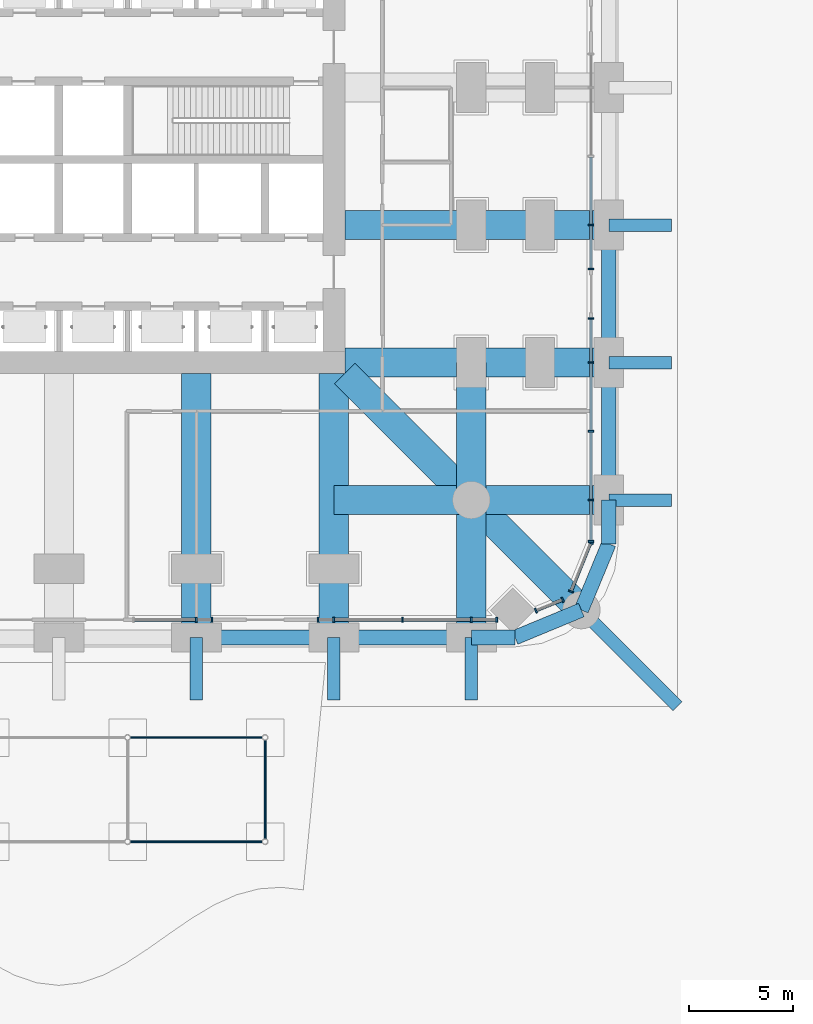
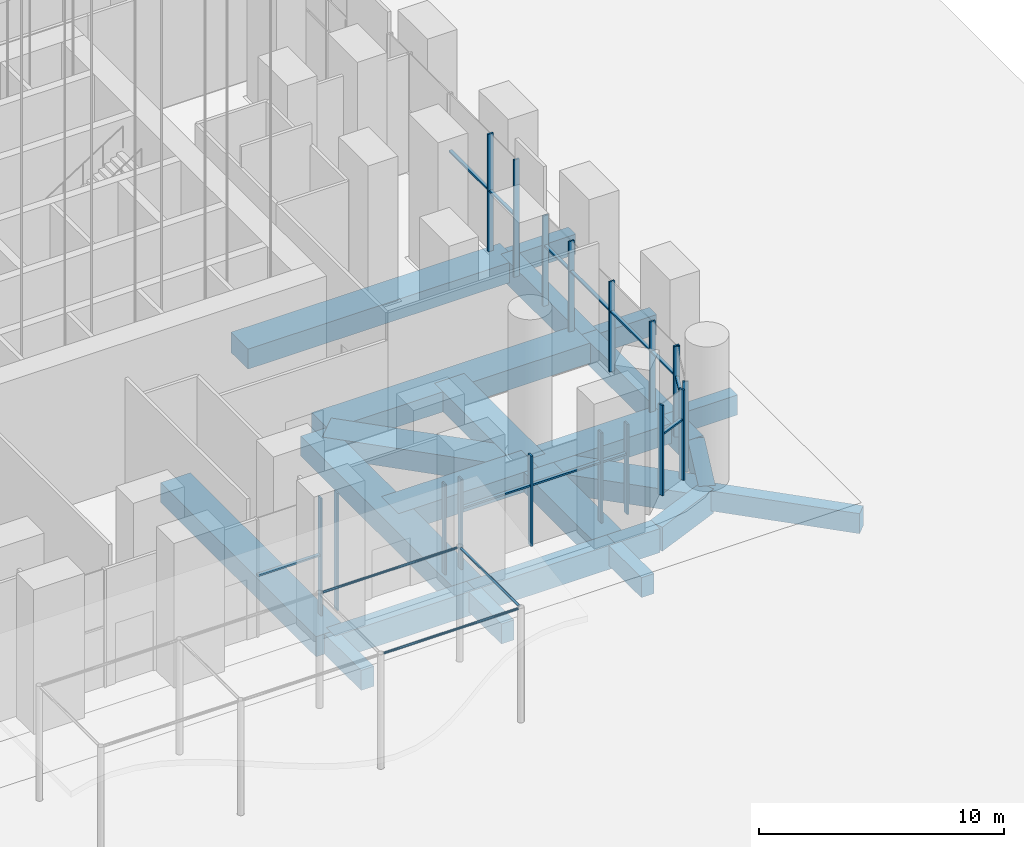
# One storey, part 9 of 32: 33 members, 25 beams, 6 elements without a shape of their own.
"""IFC4 building model written with IfcOpenShell, lengths in metres."""

from ifc_helpers import new_model, si_unit, direction, frame, origin, origin_2d, place, context, subcontext, project, spatial, rectangle, hollow_circle, extrude, material, material_profile, profile_set, type_object, element, aggregate, save


model = new_model("IFC4")

# Units and contexts
model_context = context("Model", 3, precision=1e-05, world=origin(), true_north=direction((0.0, 1.0)))
body_context = subcontext(model_context, "Body", "Model", "MODEL_VIEW")
ifc_project = project(units=[si_unit("LENGTHUNIT", "METRE"), si_unit("AREAUNIT", "SQUARE_METRE"), si_unit("VOLUMEUNIT", "CUBIC_METRE"), si_unit("PLANEANGLEUNIT", "RADIAN"), si_unit("MASSUNIT", "GRAM", prefix="KILO")], contexts=[model_context])

# Site, building, storey
site_placement = place(None, origin())
site = spatial("IfcSite", under=ifc_project, at=site_placement, CompositionType="ELEMENT")
building_placement = place(site_placement, origin())
building = spatial("IfcBuilding", under=site, at=building_placement, Name="Cobogo Forest Laboratory Tower", CompositionType="ELEMENT")
storey_placement = place(building_placement, origin())
storey = spatial("IfcBuildingStorey", under=building, at=storey_placement, Name="L00", CompositionType="ELEMENT", Elevation=0.0)

# Curtain wall, members
ifc_material_1 = material(Name="Aluminium curtain wall", Category="aluminium")
curtain_wall_type = type_object("IfcCurtainWallType", Name="CW-L structural glazing, entrance lobby", PredefinedType="USERDEFINED", material=ifc_material_1)
curtain_wall_1_placement = place(storey_placement, origin())
curtain_wall_1 = element("IfcCurtainWall", 1, at=curtain_wall_1_placement, inside=storey, type_object=curtain_wall_type, Name="Curtain wall 11 L00", ObjectType="STRUCTURAL GLAZING", PredefinedType="USERDEFINED")
ifc_material_2 = material(Name="Aluminium mullion", Category="aluminium")
ifc_material_profile_1 = material_profile(ifc_material_2, rectangle(XDim=0.080078125, YDim=0.25, at=origin_2d()), Name="AL 80x250")
ifc_profile_set_1 = profile_set([ifc_material_profile_1], Name="Aluminium mullion")
member_type_1 = type_object("IfcMemberType", Name="MU-4 aluminium lobby mullion 80x250", PredefinedType="MULLION", material=ifc_profile_set_1)
member_1_placement = place(storey_placement, frame((51.949951171875, 19.800048828125, 0.0), z_axis=(0.0, 0.0, 1.0), x_axis=(0.0, -1.0, 0.0)))
member_1 = element("IfcMember", 2, at=member_1_placement, type_object=member_type_1, Name="CW-L mullion 4", PredefinedType="MULLION", context=body_context, shape_type="SweptSolid", body=[
    extrude(rectangle(XDim=0.080078125, YDim=0.25, at=origin_2d()), origin(), (0.0, 0.0, 1.0), 5.85009765625),
])
member_2_placement = place(storey_placement, frame((51.949951171875, 17.68994140625, 0.0), z_axis=(0.0, 0.0, 1.0), x_axis=(0.0, -1.0, 0.0)))
member_2 = element("IfcMember", 3, at=member_2_placement, type_object=member_type_1, Name="CW-L mullion 5", PredefinedType="MULLION", context=body_context, shape_type="SweptSolid", body=[
    extrude(rectangle(XDim=0.080078125, YDim=0.25, at=origin_2d()), origin(), (0.0, 0.0, 1.0), 5.85009765625),
])

curtain_wall_2_placement = place(storey_placement, origin())
curtain_wall_2 = element("IfcCurtainWall", 4, at=curtain_wall_2_placement, inside=storey, type_object=curtain_wall_type, Name="Curtain wall 12 L00", ObjectType="STRUCTURAL GLAZING", PredefinedType="USERDEFINED")
member_3_placement = place(storey_placement, frame((51.949951171875, 15.31005859375, 0.0), z_axis=(0.0, 0.0, 1.0), x_axis=(0.0, -1.0, 0.0)))
member_3 = element("IfcMember", 5, at=member_3_placement, type_object=member_type_1, Name="CW-L mullion 1", PredefinedType="MULLION", context=body_context, shape_type="SweptSolid", body=[
    extrude(rectangle(XDim=0.080078125, YDim=0.25, at=origin_2d()), origin(), (0.0, 0.0, 1.0), 4.5),
])
member_4_placement = place(storey_placement, frame((51.949951171875, 13.199951171875, 0.0), z_axis=(0.0, 0.0, 1.0), x_axis=(0.0, -1.0, 0.0)))
member_4 = element("IfcMember", 6, at=member_4_placement, type_object=member_type_1, Name="CW-L mullion 2", PredefinedType="MULLION", context=body_context, shape_type="SweptSolid", body=[
    extrude(rectangle(XDim=0.080078125, YDim=0.25, at=origin_2d()), origin(), (0.0, 0.0, 1.0), 4.5),
])
member_5_placement = place(storey_placement, frame((51.949951171875, 9.89990234375, 0.0), z_axis=(0.0, 0.0, 1.0), x_axis=(0.0, -1.0, 0.0)))
member_5 = element("IfcMember", 7, at=member_5_placement, type_object=member_type_1, Name="CW-L mullion 3", PredefinedType="MULLION", context=body_context, shape_type="SweptSolid", body=[
    extrude(rectangle(XDim=0.080078125, YDim=0.25, at=origin_2d()), origin(), (0.0, 0.0, 1.0), 4.5),
])
member_6_placement = place(storey_placement, frame((51.949951171875, 6.60009765625, 0.0), z_axis=(0.0, 0.0, 1.0), x_axis=(0.0, -1.0, 0.0)))
member_6 = element("IfcMember", 8, at=member_6_placement, type_object=member_type_1, Name="CW-L mullion 4", PredefinedType="MULLION", context=body_context, shape_type="SweptSolid", body=[
    extrude(rectangle(XDim=0.080078125, YDim=0.25, at=origin_2d()), origin(), (0.0, 0.0, 1.0), 4.5),
])
member_7_placement = place(storey_placement, frame((51.949951171875, 4.625244140625, 0.0), z_axis=(0.0, 0.0, 1.0), x_axis=(0.0, -1.0, 0.0)))
member_7 = element("IfcMember", 9, at=member_7_placement, type_object=member_type_1, Name="CW-L mullion 5", PredefinedType="MULLION", context=body_context, shape_type="SweptSolid", body=[
    extrude(rectangle(XDim=0.080078125, YDim=0.25, at=origin_2d()), origin(), (0.0, 0.0, 1.0), 4.5),
])

curtain_wall_3_placement = place(storey_placement, origin())
curtain_wall_3 = element("IfcCurtainWall", 10, at=curtain_wall_3_placement, inside=storey, type_object=curtain_wall_type, Name="Curtain wall 13 L00", ObjectType="STRUCTURAL GLAZING", PredefinedType="USERDEFINED")
member_8_placement = place(storey_placement, frame((51.93505859375, 4.548095703125, 0.0), z_axis=(0.0, 0.0, 1.0), x_axis=(-0.375506890138, -0.926819602436, 0.0)))
member_8 = element("IfcMember", 11, at=member_8_placement, type_object=member_type_1, Name="CW-L mullion 1", PredefinedType="MULLION", context=body_context, shape_type="SweptSolid", body=[
    extrude(rectangle(XDim=0.080078125, YDim=0.25, at=origin_2d()), origin(), (0.0, 0.0, 1.0), 4.5),
])
member_9_placement = place(storey_placement, frame((50.9892578125, 2.2138671875, 0.0), z_axis=(0.0, 0.0, 1.0), x_axis=(-0.375506890138, -0.926819602436, 0.0)))
member_9 = element("IfcMember", 12, at=member_9_placement, type_object=member_type_1, Name="CW-L mullion 2", PredefinedType="MULLION", context=body_context, shape_type="SweptSolid", body=[
    extrude(rectangle(XDim=0.080078125, YDim=0.25, at=origin_2d()), origin(), (0.0, 0.0, 1.0), 4.5),
])

curtain_wall_4_placement = place(storey_placement, origin())
curtain_wall_4 = element("IfcCurtainWall", 13, at=curtain_wall_4_placement, inside=storey, type_object=curtain_wall_type, Name="Curtain wall 14 L00", ObjectType="STRUCTURAL GLAZING", PredefinedType="USERDEFINED")
member_10_placement = place(storey_placement, frame((50.586181640625, 1.810791015625, 0.0), z_axis=(0.0, 0.0, 1.0), x_axis=(-0.926819589551, -0.37550692194, 0.0)))
member_10 = element("IfcMember", 14, at=member_10_placement, type_object=member_type_1, Name="CW-L mullion 1", PredefinedType="MULLION", context=body_context, shape_type="SweptSolid", body=[
    extrude(rectangle(XDim=0.080078125, YDim=0.25, at=origin_2d()), origin(), (0.0, 0.0, 1.0), 4.5),
])
member_11_placement = place(storey_placement, frame((49.299560546875, 1.28955078125, 0.0), z_axis=(0.0, 0.0, 1.0), x_axis=(-0.926819589551, -0.37550692194, 0.0)))
member_11 = element("IfcMember", 15, at=member_11_placement, type_object=member_type_1, Name="CW-L mullion 2", PredefinedType="MULLION", context=body_context, shape_type="SweptSolid", body=[
    extrude(rectangle(XDim=0.080078125, YDim=0.25, at=origin_2d()), origin(), (0.0, 0.0, 1.0), 4.5),
])

curtain_wall_5_placement = place(storey_placement, origin())
curtain_wall_5 = element("IfcCurtainWall", 16, at=curtain_wall_5_placement, inside=storey, type_object=curtain_wall_type, Name="Curtain wall 15 L00", ObjectType="STRUCTURAL GLAZING", PredefinedType="USERDEFINED")
member_12_placement = place(storey_placement, frame((47.42431640625, 0.85009765625, 0.0), z_axis=(0.0, 0.0, 1.0), x_axis=(-1.0, 0.0, 0.0)))
member_12 = element("IfcMember", 17, at=member_12_placement, type_object=member_type_1, Name="CW-L mullion 1", PredefinedType="MULLION", context=body_context, shape_type="SweptSolid", body=[
    extrude(rectangle(XDim=0.080078125, YDim=0.25, at=origin_2d()), origin(), (0.0, 0.0, 1.0), 4.5),
])
member_13_placement = place(storey_placement, frame((46.199951171875, 0.85009765625, 0.0), z_axis=(0.0, 0.0, 1.0), x_axis=(-1.0, 0.0, 0.0)))
member_13 = element("IfcMember", 18, at=member_13_placement, type_object=member_type_1, Name="CW-L mullion 2", PredefinedType="MULLION", context=body_context, shape_type="SweptSolid", body=[
    extrude(rectangle(XDim=0.080078125, YDim=0.25, at=origin_2d()), origin(), (0.0, 0.0, 1.0), 4.5),
])
member_14_placement = place(storey_placement, frame((42.89990234375, 0.85009765625, 0.0), z_axis=(0.0, 0.0, 1.0), x_axis=(-1.0, 0.0, 0.0)))
member_14 = element("IfcMember", 19, at=member_14_placement, type_object=member_type_1, Name="CW-L mullion 3", PredefinedType="MULLION", context=body_context, shape_type="SweptSolid", body=[
    extrude(rectangle(XDim=0.080078125, YDim=0.25, at=origin_2d()), origin(), (0.0, 0.0, 1.0), 4.5),
])
member_15_placement = place(storey_placement, frame((39.60009765625, 0.85009765625, 0.0), z_axis=(0.0, 0.0, 1.0), x_axis=(-1.0, 0.0, 0.0)))
member_15 = element("IfcMember", 20, at=member_15_placement, type_object=member_type_1, Name="CW-L mullion 4", PredefinedType="MULLION", context=body_context, shape_type="SweptSolid", body=[
    extrude(rectangle(XDim=0.080078125, YDim=0.25, at=origin_2d()), origin(), (0.0, 0.0, 1.0), 4.5),
])
member_16_placement = place(storey_placement, frame((38.840087890625, 0.85009765625, 0.0), z_axis=(0.0, 0.0, 1.0), x_axis=(-1.0, 0.0, 0.0)))
member_16 = element("IfcMember", 21, at=member_16_placement, type_object=member_type_1, Name="CW-L mullion 5", PredefinedType="MULLION", context=body_context, shape_type="SweptSolid", body=[
    extrude(rectangle(XDim=0.080078125, YDim=0.25, at=origin_2d()), origin(), (0.0, 0.0, 1.0), 4.5),
])

curtain_wall_6_placement = place(storey_placement, origin())
curtain_wall_6 = element("IfcCurtainWall", 22, at=curtain_wall_6_placement, inside=storey, type_object=curtain_wall_type, Name="Curtain wall 16 L00", ObjectType="STRUCTURAL GLAZING", PredefinedType="USERDEFINED")
member_17_placement = place(storey_placement, frame((33.760009765625, 0.85009765625, 0.0), z_axis=(0.0, 0.0, 1.0), x_axis=(-1.0, 0.0, 0.0)))
member_17 = element("IfcMember", 23, at=member_17_placement, type_object=member_type_1, Name="CW-L mullion 1", PredefinedType="MULLION", context=body_context, shape_type="SweptSolid", body=[
    extrude(rectangle(XDim=0.080078125, YDim=0.25, at=origin_2d()), origin(), (0.0, 0.0, 1.0), 5.85009765625),
])
member_18_placement = place(storey_placement, frame((33.0, 0.85009765625, 0.0), z_axis=(0.0, 0.0, 1.0), x_axis=(-1.0, 0.0, 0.0)))
member_18 = element("IfcMember", 24, at=member_18_placement, type_object=member_type_1, Name="CW-L mullion 2", PredefinedType="MULLION", context=body_context, shape_type="SweptSolid", body=[
    extrude(rectangle(XDim=0.080078125, YDim=0.25, at=origin_2d()), origin(), (0.0, 0.0, 1.0), 5.85009765625),
])

# Members
ifc_material_3 = material(Name="Steel S355", Category="steel")
ifc_material_profile_2 = material_profile(ifc_material_3, hollow_circle(Radius=0.05712890625, WallThickness=0.00634765625, at=origin_2d()), Name="CHS 114.3x6.3")
ifc_profile_set_2 = profile_set([ifc_material_profile_2], Name="Steel S355")
member_type_2 = type_object("IfcMemberType", Name="Marquise head strut CHS 114.3x6.3", PredefinedType="STRUT", material=ifc_profile_set_2)
for number, where, z_axis, x_axis, name in (
    (25, (29.83154296875, -9.800048828125, 5.642822265625), (1.0, 0.0, 0.0), (0.0, 1.0, 0.0), "MT1 marquise strut 3"),
    (26, (29.83154296875, -4.800048828125, 5.642822265625), (1.0, 0.0, 0.0), (0.0, 1.0, 0.0), "MT1 marquise strut 6"),
):
    element("IfcMember", number, at=place(storey_placement, frame(where, z_axis=z_axis, x_axis=x_axis)), inside=storey, type_object=member_type_2, Name=name, PredefinedType="STRUT", context=body_context, shape_type="SweptSolid", body=[
        extrude(hollow_circle(Radius=0.05712890625, WallThickness=0.00634765625, at=origin_2d()), origin(), (0.0, 0.0, 1.0), 6.3369140625),
    ])
member_19_placement = place(storey_placement, frame((36.300048828125, -9.66845703125, 5.642822265625), z_axis=(0.0, 1.0, 0.0), x_axis=(-1.0, 0.0, 0.0)))
element("IfcMember", 27, at=member_19_placement, inside=storey, type_object=member_type_2, Name="MT1 marquise strut 10", PredefinedType="STRUT", context=body_context, shape_type="SweptSolid", body=[
    extrude(hollow_circle(Radius=0.05712890625, WallThickness=0.00634765625, at=origin_2d()), origin(), (0.0, 0.0, 1.0), 4.737060546875),
])

# Beams
ifc_material_4 = material(Name="Concrete HA-40 (C40/50)", Category="concrete")
ifc_material_profile_3 = material_profile(ifc_material_4, rectangle(XDim=0.699951171875, YDim=1.199951171875, at=origin_2d()), Name="RC 700x1200")
ifc_profile_set_3 = profile_set([ifc_material_profile_3], Name="Concrete HA-40 (C40/50)")
beam_type_1 = type_object("IfcBeamType", Name="Perimeter edge beam 700x1200", PredefinedType="BEAM", material=ifc_profile_set_3)
beam_1_placement = place(storey_placement, frame((33.0, 0.0, -0.949951171875), z_axis=(1.0, 0.0, 0.0), x_axis=(0.0, 1.0, 0.0)))
element("IfcBeam", 28, at=beam_1_placement, inside=storey, type_object=beam_type_1, Name="EB1 E-S5 L00", PredefinedType="BEAM", context=body_context, shape_type="SweptSolid", body=[
    extrude(rectangle(XDim=0.699951171875, YDim=1.199951171875, at=origin_2d()), origin(), (0.0, 0.0, 1.0), 6.60009765625),
])
for number, where, z_axis, x_axis, name in (
    (29, (39.60009765625, 0.0, -0.949951171875), (1.0, 0.0, 0.0), (0.0, 1.0, 0.0), "EB1 E-S6 L00"),
    (30, (52.800048828125, 6.60009765625, -0.949951171875), (0.0, 1.0, 0.0), (-1.0, 0.0, 0.0), "EB1 E-E1 L00"),
):
    element("IfcBeam", number, at=place(storey_placement, frame(where, z_axis=z_axis, x_axis=x_axis)), inside=storey, type_object=beam_type_1, Name=name, PredefinedType="BEAM", context=body_context, shape_type="SweptSolid", body=[
        extrude(rectangle(XDim=0.699951171875, YDim=1.199951171875, at=origin_2d()), origin(), (0.0, 0.0, 1.0), 6.599853515625),
    ])
beam_2_placement = place(storey_placement, frame((52.800048828125, 13.199951171875, -0.949951171875), z_axis=(0.0, 1.0, 0.0), x_axis=(-1.0, 0.0, 0.0)))
element("IfcBeam", 31, at=beam_2_placement, inside=storey, type_object=beam_type_1, Name="EB1 E-E2 L00", PredefinedType="BEAM", context=body_context, shape_type="SweptSolid", body=[
    extrude(rectangle(XDim=0.699951171875, YDim=1.199951171875, at=origin_2d()), origin(), (0.0, 0.0, 1.0), 6.60009765625),
])
beam_3_placement = place(storey_placement, frame((46.199951171875, 0.0, -0.949951171875), z_axis=(1.0, 0.0, 0.0), x_axis=(0.0, 1.0, 0.0)))
element("IfcBeam", 32, at=beam_3_placement, inside=storey, type_object=beam_type_1, Name="EB1 E-SES1 L00", PredefinedType="BEAM", context=body_context, shape_type="SweptSolid", body=[
    extrude(rectangle(XDim=0.699951171875, YDim=1.199951171875, at=origin_2d()), origin(), (0.0, 0.0, 1.0), 2.10009765625),
])
beam_4_placement = place(storey_placement, frame((48.300048828125, 0.0, -0.949951171875), z_axis=(0.923865631356, 0.382716990999, 0.0), x_axis=(-0.382716990999, 0.923865631356, 0.0)))
element("IfcBeam", 33, at=beam_4_placement, inside=storey, type_object=beam_type_1, Name="EB1 E-SES2 L00", PredefinedType="BEAM", context=body_context, shape_type="SweptSolid", body=[
    extrude(rectangle(XDim=0.699951171875, YDim=1.199951171875, at=origin_2d()), origin(), (0.0, 0.0, 1.0), 3.444091796875),
])
beam_5_placement = place(storey_placement, frame((52.800048828125, 6.60009765625, -0.949951171875), z_axis=(0.0, -1.0, 0.0), x_axis=(1.0, 0.0, 0.0)))
element("IfcBeam", 34, at=beam_5_placement, inside=storey, type_object=beam_type_1, Name="EB1 E-SEE1 L00", PredefinedType="BEAM", context=body_context, shape_type="SweptSolid", body=[
    extrude(rectangle(XDim=0.699951171875, YDim=1.199951171875, at=origin_2d()), origin(), (0.0, 0.0, 1.0), 2.10009765625),
])
beam_6_placement = place(storey_placement, frame((52.800048828125, 4.5, -0.949951171875), z_axis=(-0.382716990999, -0.923865631356, 0.0), x_axis=(0.923865631356, -0.382716990999, 0.0)))
element("IfcBeam", 35, at=beam_6_placement, inside=storey, type_object=beam_type_1, Name="EB1 E-SEE2 L00", PredefinedType="BEAM", context=body_context, shape_type="SweptSolid", body=[
    extrude(rectangle(XDim=0.699951171875, YDim=1.199951171875, at=origin_2d()), origin(), (0.0, 0.0, 1.0), 3.444091796875),
])
ifc_material_profile_4 = material_profile(ifc_material_4, rectangle(XDim=0.60009765625, YDim=1.0, at=origin_2d()), Name="RC 600x1000")
ifc_profile_set_4 = profile_set([ifc_material_profile_4], Name="Concrete HA-40 (C40/50)")
beam_type_2 = type_object("IfcBeamType", Name="Plaza deck beam 600x1000", PredefinedType="BEAM", material=ifc_profile_set_4)
beam_7_placement = place(storey_placement, frame((51.48193359375, 1.318115234375, -0.85009765625), z_axis=(0.707106781187, -0.707106781187, 0.0), x_axis=(0.707106781187, 0.707106781187, 0.0)))
element("IfcBeam", 36, at=beam_7_placement, inside=storey, type_object=beam_type_2, Name="RB3 P-CNR-SE L00", PredefinedType="BEAM", context=body_context, shape_type="SweptSolid", body=[
    extrude(rectangle(XDim=0.60009765625, YDim=1.0, at=origin_2d()), origin(), (0.0, 0.0, 1.0), 6.531005859375),
])
for number, where, z_axis, x_axis, name in (
    (37, (33.0, 0.0, -0.85009765625), (0.0, -1.0, 0.0), (1.0, 0.0, 0.0), "RB3 P-6-A L00"),
    (38, (39.60009765625, 0.0, -0.85009765625), (0.0, -1.0, 0.0), (1.0, 0.0, 0.0), "RB3 P-7-A L00"),
    (39, (46.199951171875, 0.0, -0.85009765625), (0.0, -1.0, 0.0), (1.0, 0.0, 0.0), "RB3 P-8-A L00"),
    (40, (52.800048828125, 6.60009765625, -0.85009765625), (1.0, 0.0, 0.0), (0.0, 1.0, 0.0), "RB3 P-9-B L00"),
    (41, (52.800048828125, 13.199951171875, -0.85009765625), (1.0, 0.0, 0.0), (0.0, 1.0, 0.0), "RB3 P-9-C L00"),
    (42, (52.800048828125, 19.800048828125, -0.85009765625), (1.0, 0.0, 0.0), (0.0, 1.0, 0.0), "RB3 P-9-D L00"),
):
    element("IfcBeam", number, at=place(storey_placement, frame(where, z_axis=z_axis, x_axis=x_axis)), inside=storey, type_object=beam_type_2, Name=name, PredefinedType="BEAM", context=body_context, shape_type="SweptSolid", body=[
        extrude(rectangle(XDim=0.60009765625, YDim=1.0, at=origin_2d()), origin(), (0.0, 0.0, 1.0), 3.0),
    ])
ifc_material_profile_5 = material_profile(ifc_material_4, rectangle(XDim=1.39990234375, YDim=1.0, at=origin_2d()), Name="RC 1400x1000")
ifc_profile_set_5 = profile_set([ifc_material_profile_5], Name="Concrete HA-40 (C40/50)")
beam_type_3 = type_object("IfcBeamType", Name="Podium deck wide beam 1400x1000", PredefinedType="BEAM", material=ifc_profile_set_5)
for number, where, z_axis, x_axis, name in (
    (43, (33.0, 12.675048828125, -0.85009765625), (0.0, -1.0, 0.0), (1.0, 0.0, 0.0), "RB5 R-6-S L00"),
    (44, (39.60009765625, 12.675048828125, -0.85009765625), (0.0, -1.0, 0.0), (1.0, 0.0, 0.0), "RB5 R-7-S L00"),
    (45, (40.125, 13.199951171875, -0.85009765625), (1.0, 0.0, 0.0), (0.0, 1.0, 0.0), "RB5 R-C-E L00"),
    (46, (40.125, 19.800048828125, -0.85009765625), (1.0, 0.0, 0.0), (0.0, 1.0, 0.0), "RB5 R-D-E L00"),
):
    element("IfcBeam", number, at=place(storey_placement, frame(where, z_axis=z_axis, x_axis=x_axis)), inside=storey, type_object=beam_type_3, Name=name, PredefinedType="BEAM", context=body_context, shape_type="SweptSolid", body=[
        extrude(rectangle(XDim=1.39990234375, YDim=1.0, at=origin_2d()), origin(), (0.0, 0.0, 1.0), 12.675048828125),
    ])
beam_8_placement = place(storey_placement, frame((46.199951171875, 0.0, -0.85009765625), z_axis=(0.0, 1.0, 0.0), x_axis=(-1.0, 0.0, 0.0)))
element("IfcBeam", 47, at=beam_8_placement, inside=storey, type_object=beam_type_3, Name="RB5 G-SE-XF L00", PredefinedType="BEAM", context=body_context, shape_type="SweptSolid", body=[
    extrude(rectangle(XDim=1.39990234375, YDim=1.0, at=origin_2d()), origin(), (0.0, 0.0, 1.0), 6.60009765625),
])
beam_9_placement = place(storey_placement, frame((46.199951171875, 6.60009765625, -0.85009765625), z_axis=(0.0, 1.0, 0.0), x_axis=(-1.0, 0.0, 0.0)))
element("IfcBeam", 48, at=beam_9_placement, inside=storey, type_object=beam_type_3, Name="RB5 G-SE-XC L00", PredefinedType="BEAM", context=body_context, shape_type="SweptSolid", body=[
    extrude(rectangle(XDim=1.39990234375, YDim=1.0, at=origin_2d()), origin(), (0.0, 0.0, 1.0), 6.599853515625),
])
beam_10_placement = place(storey_placement, frame((52.800048828125, 6.60009765625, -0.85009765625), z_axis=(-1.0, 0.0, 0.0), x_axis=(0.0, -1.0, 0.0)))
element("IfcBeam", 49, at=beam_10_placement, inside=storey, type_object=beam_type_3, Name="RB5 G-SE-YF L00", PredefinedType="BEAM", context=body_context, shape_type="SweptSolid", body=[
    extrude(rectangle(XDim=1.39990234375, YDim=1.0, at=origin_2d()), origin(), (0.0, 0.0, 1.0), 6.60009765625),
])
beam_11_placement = place(storey_placement, frame((46.199951171875, 6.60009765625, -0.85009765625), z_axis=(-1.0, 0.0, 0.0), x_axis=(0.0, -1.0, 0.0)))
element("IfcBeam", 50, at=beam_11_placement, inside=storey, type_object=beam_type_3, Name="RB5 G-SE-YC L00", PredefinedType="BEAM", context=body_context, shape_type="SweptSolid", body=[
    extrude(rectangle(XDim=1.39990234375, YDim=1.0, at=origin_2d()), origin(), (0.0, 0.0, 1.0), 6.599853515625),
])
beam_12_placement = place(storey_placement, frame((51.48193359375, 1.318115234375, -0.85009765625), z_axis=(-0.707106781187, 0.707106781187, 0.0), x_axis=(-0.707106781187, -0.707106781187, 0.0)))
element("IfcBeam", 51, at=beam_12_placement, inside=storey, type_object=beam_type_3, Name="RB5 G-SE-D1 L00", PredefinedType="BEAM", context=body_context, shape_type="SweptSolid", body=[
    extrude(rectangle(XDim=1.39990234375, YDim=1.0, at=origin_2d()), origin(), (0.0, 0.0, 1.0), 7.469970703125),
])
beam_13_placement = place(storey_placement, frame((46.199951171875, 6.60009765625, -0.85009765625), z_axis=(-0.707106781187, 0.707106781187, 0.0), x_axis=(-0.707106781187, -0.707106781187, 0.0)))
element("IfcBeam", 52, at=beam_13_placement, inside=storey, type_object=beam_type_3, Name="RB5 G-SE-D2 L00", PredefinedType="BEAM", context=body_context, shape_type="SweptSolid", body=[
    extrude(rectangle(XDim=1.39990234375, YDim=1.0, at=origin_2d()), origin(), (0.0, 0.0, 1.0), 8.59130859375),
])

# Member
ifc_material_5 = material(Name="Aluminium transom", Category="aluminium")
ifc_material_profile_6 = material_profile(ifc_material_5, rectangle(XDim=0.14990234375, YDim=0.080078125, at=origin_2d()), Name="AL 80x150")
ifc_profile_set_6 = profile_set([ifc_material_profile_6], Name="Aluminium transom")
member_type_3 = type_object("IfcMemberType", Name="TR-3 aluminium lobby transom 80x150", PredefinedType="USERDEFINED", material=ifc_profile_set_6)
member_20_placement = place(storey_placement, frame((51.949951171875, 23.06005859375, 3.0), z_axis=(0.0, -1.0, 0.0), x_axis=(1.0, 0.0, 0.0)))
member_20 = element("IfcMember", 53, at=member_20_placement, type_object=member_type_3, Name="CW-L transom 3.1", ObjectType="TRANSOM", PredefinedType="USERDEFINED", context=body_context, shape_type="SweptSolid", body=[
    extrude(rectangle(XDim=0.14990234375, YDim=0.080078125, at=origin_2d()), origin(), (0.0, 0.0, 1.0), 3.219970703125),
])

member_21_placement = place(storey_placement, frame((51.949951171875, 19.760009765625, 3.0), z_axis=(0.0, -1.0, 0.0), x_axis=(1.0, 0.0, 0.0)))
member_21 = element("IfcMember", 54, at=member_21_placement, type_object=member_type_3, Name="CW-L transom 4.1", ObjectType="TRANSOM", PredefinedType="USERDEFINED", context=body_context, shape_type="SweptSolid", body=[
    extrude(rectangle(XDim=0.14990234375, YDim=0.080078125, at=origin_2d()), origin(), (0.0, 0.0, 1.0), 2.030029296875),
])

aggregate(curtain_wall_1, [member_1, member_2, member_20, member_21])

member_22_placement = place(storey_placement, frame((51.949951171875, 15.27001953125, 3.0), z_axis=(0.0, -1.0, 0.0), x_axis=(1.0, 0.0, 0.0)))
member_22 = element("IfcMember", 55, at=member_22_placement, type_object=member_type_3, Name="CW-L transom 1.1", ObjectType="TRANSOM", PredefinedType="USERDEFINED", context=body_context, shape_type="SweptSolid", body=[
    extrude(rectangle(XDim=0.14990234375, YDim=0.080078125, at=origin_2d()), origin(), (0.0, 0.0, 1.0), 2.030029296875),
])

member_23_placement = place(storey_placement, frame((51.949951171875, 13.159912109375, 3.0), z_axis=(0.0, -1.0, 0.0), x_axis=(1.0, 0.0, 0.0)))
member_23 = element("IfcMember", 56, at=member_23_placement, type_object=member_type_3, Name="CW-L transom 2.1", ObjectType="TRANSOM", PredefinedType="USERDEFINED", context=body_context, shape_type="SweptSolid", body=[
    extrude(rectangle(XDim=0.14990234375, YDim=0.080078125, at=origin_2d()), origin(), (0.0, 0.0, 1.0), 3.219970703125),
])

member_24_placement = place(storey_placement, frame((51.949951171875, 9.860107421875, 3.0), z_axis=(0.0, -1.0, 0.0), x_axis=(1.0, 0.0, 0.0)))
member_24 = element("IfcMember", 57, at=member_24_placement, type_object=member_type_3, Name="CW-L transom 3.1", ObjectType="TRANSOM", PredefinedType="USERDEFINED", context=body_context, shape_type="SweptSolid", body=[
    extrude(rectangle(XDim=0.14990234375, YDim=0.080078125, at=origin_2d()), origin(), (0.0, 0.0, 1.0), 3.22021484375),
])

member_25_placement = place(storey_placement, frame((51.949951171875, 6.56005859375, 3.0), z_axis=(0.0, -1.0, 0.0), x_axis=(1.0, 0.0, 0.0)))
member_25 = element("IfcMember", 58, at=member_25_placement, type_object=member_type_3, Name="CW-L transom 4.1", ObjectType="TRANSOM", PredefinedType="USERDEFINED", context=body_context, shape_type="SweptSolid", body=[
    extrude(rectangle(XDim=0.14990234375, YDim=0.080078125, at=origin_2d()), origin(), (0.0, 0.0, 1.0), 1.894775390625),
])

aggregate(curtain_wall_2, [member_3, member_4, member_5, member_6, member_7, member_22, member_23, member_24, member_25])

member_26_placement = place(storey_placement, frame((51.919921875, 4.510986328125, 3.0), z_axis=(-0.375547073241, -0.92680332098, 0.0), x_axis=(0.92680332098, -0.375547073241, 0.0)))
member_26 = element("IfcMember", 59, at=member_26_placement, type_object=member_type_3, Name="CW-L transom 1.1", ObjectType="TRANSOM", PredefinedType="USERDEFINED", context=body_context, shape_type="SweptSolid", body=[
    extrude(rectangle(XDim=0.14990234375, YDim=0.080078125, at=origin_2d()), origin(), (0.0, 0.0, 1.0), 2.4384765625),
])

aggregate(curtain_wall_3, [member_8, member_9, member_26])

member_27_placement = place(storey_placement, frame((50.549072265625, 1.795654296875, 3.0), z_axis=(-0.926820035284, -0.375505821787, 0.0), x_axis=(0.375505821787, -0.926820035284, 0.0)))
member_27 = element("IfcMember", 60, at=member_27_placement, type_object=member_type_3, Name="CW-L transom 1.1", ObjectType="TRANSOM", PredefinedType="USERDEFINED", context=body_context, shape_type="SweptSolid", body=[
    extrude(rectangle(XDim=0.14990234375, YDim=0.080078125, at=origin_2d()), origin(), (0.0, 0.0, 1.0), 1.30810546875),
])

aggregate(curtain_wall_4, [member_10, member_11, member_27])

member_28_placement = place(storey_placement, frame((47.38427734375, 0.85009765625, 3.0), z_axis=(-1.0, 0.0, 0.0), x_axis=(0.0, -1.0, 0.0)))
member_28 = element("IfcMember", 61, at=member_28_placement, type_object=member_type_3, Name="CW-L transom 1.1", ObjectType="TRANSOM", PredefinedType="USERDEFINED", context=body_context, shape_type="SweptSolid", body=[
    extrude(rectangle(XDim=0.14990234375, YDim=0.080078125, at=origin_2d()), origin(), (0.0, 0.0, 1.0), 1.144287109375),
])

member_29_placement = place(storey_placement, frame((46.159912109375, 0.85009765625, 3.0), z_axis=(-1.0, 0.0, 0.0), x_axis=(0.0, -1.0, 0.0)))
member_29 = element("IfcMember", 62, at=member_29_placement, type_object=member_type_3, Name="CW-L transom 2.1", ObjectType="TRANSOM", PredefinedType="USERDEFINED", context=body_context, shape_type="SweptSolid", body=[
    extrude(rectangle(XDim=0.14990234375, YDim=0.080078125, at=origin_2d()), origin(), (0.0, 0.0, 1.0), 3.219970703125),
])

member_30_placement = place(storey_placement, frame((42.860107421875, 0.85009765625, 3.0), z_axis=(-1.0, 0.0, 0.0), x_axis=(0.0, -1.0, 0.0)))
member_30 = element("IfcMember", 63, at=member_30_placement, type_object=member_type_3, Name="CW-L transom 3.1", ObjectType="TRANSOM", PredefinedType="USERDEFINED", context=body_context, shape_type="SweptSolid", body=[
    extrude(rectangle(XDim=0.14990234375, YDim=0.080078125, at=origin_2d()), origin(), (0.0, 0.0, 1.0), 3.22021484375),
])

aggregate(curtain_wall_5, [member_12, member_13, member_14, member_15, member_16, member_28, member_29, member_30])

member_31_placement = place(storey_placement, frame((32.9599609375, 0.85009765625, 3.0), z_axis=(-1.0, 0.0, 0.0), x_axis=(0.0, -1.0, 0.0)))
member_31 = element("IfcMember", 64, at=member_31_placement, type_object=member_type_3, Name="CW-L transom 2.1", ObjectType="TRANSOM", PredefinedType="USERDEFINED", context=body_context, shape_type="SweptSolid", body=[
    extrude(rectangle(XDim=0.14990234375, YDim=0.080078125, at=origin_2d()), origin(), (0.0, 0.0, 1.0), 2.929931640625),
])

aggregate(curtain_wall_6, [member_17, member_18, member_31])

save(model, "model.ifc")
